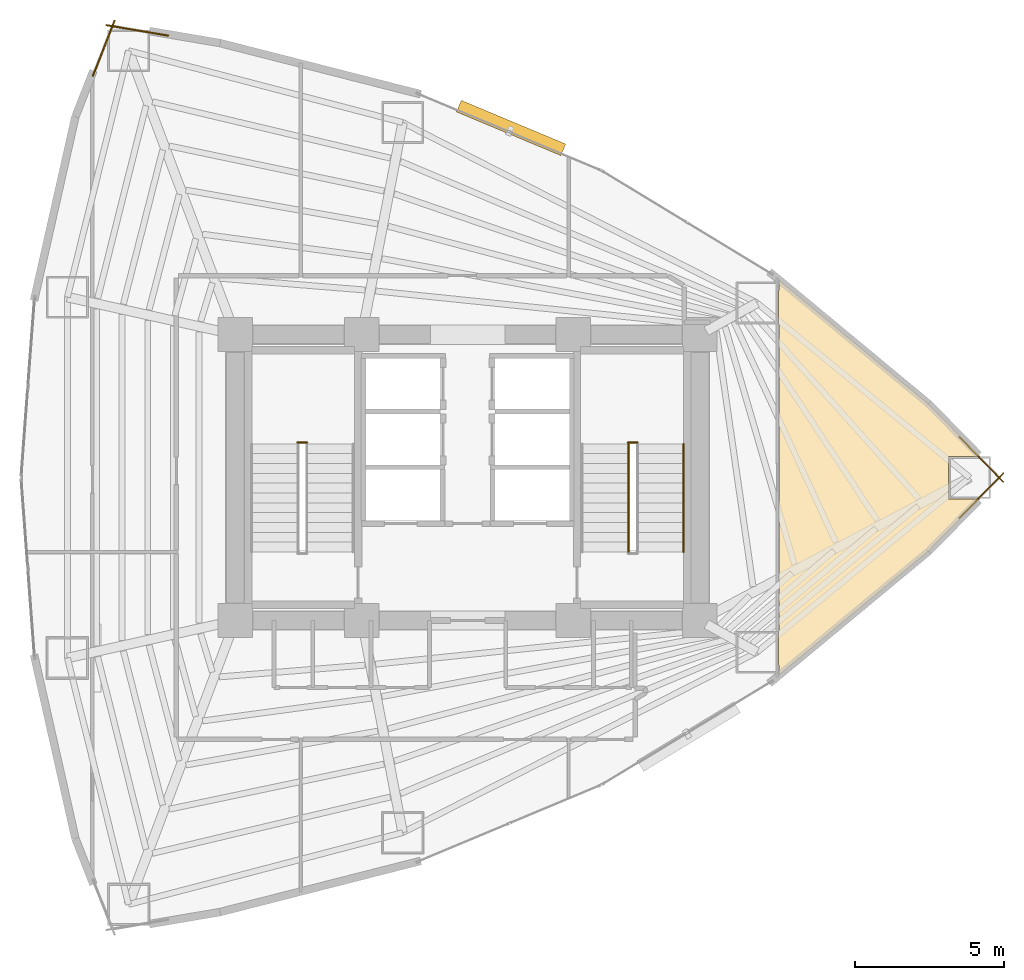
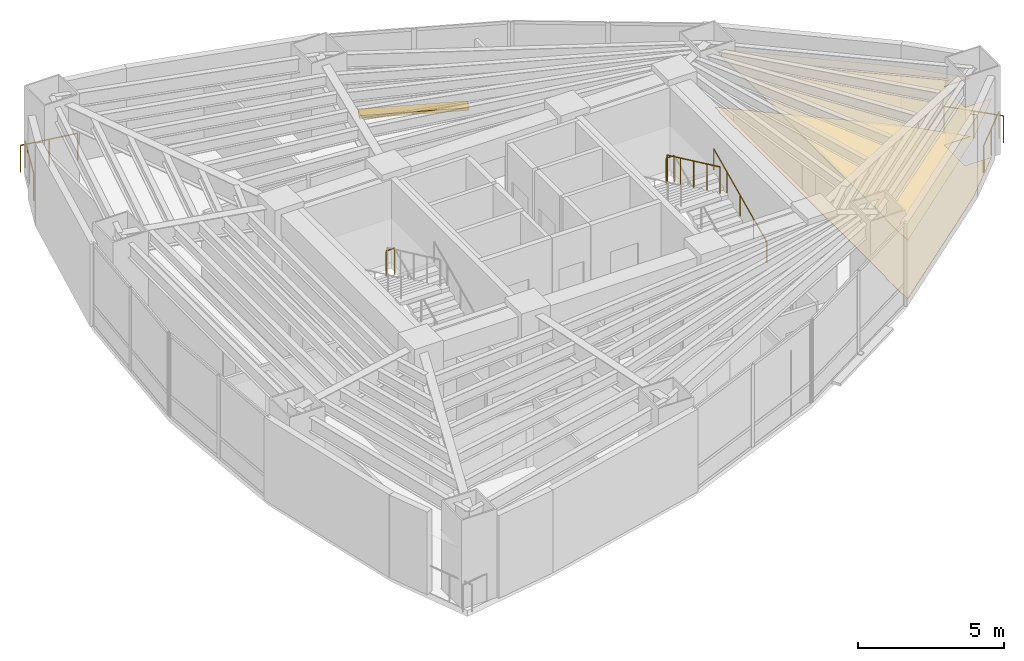
# One storey, part 17 of 17: 8 railings, 2 coverings, 1 shading device.
"""IFC4 building model written with IfcOpenShell, lengths in metres."""

import ifcopenshell
import ifcopenshell.guid

model = None  # the IFC model being written
_history = None  # IfcOwnerHistory: only IFC2X3 demands one
_inside = {}  # id of a spatial element -> (the spatial element, [elements in it])
_under = {}  # id of a project, library or spatial element -> (it, [spatial elements below it])
_declared = {}  # id of a project -> (the project, [libraries it declares])
_typed = {}  # id of a type object -> (the type object, [elements of that type])
_made_of = {}  # id of a material, layer set ... -> (it, [elements and type objects made of it])


def new_model(schema):
    """Start an empty IFC model of exactly this schema.

    Asked for "IFC4X3", IfcOpenShell would pick the latest addendum, in which some entities
    have other attributes; the version numbers below select the first issue.
    IFC2X3 requires an IfcOwnerHistory on every rooted entity: one is made here for all.
    """
    global model, _history
    if schema == "IFC4X3":
        model = ifcopenshell.file(schema_version=(4, 3, 0, 0))
    else:
        model = ifcopenshell.file(schema=schema)
    _inside.clear()
    _under.clear()
    _declared.clear()
    _typed.clear()
    _made_of.clear()
    _history = None
    if model.schema == "IFC2X3":
        org = make("IfcOrganization", Name="unknown")
        user = make(
            "IfcPersonAndOrganization",
            ThePerson=make("IfcPerson", FamilyName="unknown"),
            TheOrganization=org,
        )
        app = make(
            "IfcApplication",
            ApplicationDeveloper=org,
            Version="unknown",
            ApplicationFullName="unknown",
            ApplicationIdentifier="unknown",
        )
        _history = make(
            "IfcOwnerHistory",
            OwningUser=user,
            OwningApplication=app,
            ChangeAction="ADDED",
            CreationDate=0,
        )
    return model


def make(cls, **values):
    """One entity of the class cls with the attributes given. An attribute that is None is left unset."""
    return model.create_entity(
        cls, **{name: value for name, value in values.items() if value is not None}
    )


def rooted(cls, **values):
    """An entity with a GlobalId (a new one), such as an element, a storey or a relation."""
    return make(cls, GlobalId=ifcopenshell.guid.new(), OwnerHistory=_history, **values)


def si_unit(unit_type, name, prefix=None):
    """IfcSIUnit, for example si_unit("LENGTHUNIT", "METRE", prefix="MILLI")."""
    return make("IfcSIUnit", UnitType=unit_type, Prefix=prefix, Name=name)


def assignment(units):
    """IfcUnitAssignment: the units of a project."""
    return None if units is None else make("IfcUnitAssignment", Units=units)


def point(xyz):
    """IfcCartesianPoint."""
    return None if xyz is None else make("IfcCartesianPoint", Coordinates=xyz)


def direction(xyz):
    """IfcDirection."""
    return None if xyz is None else make("IfcDirection", DirectionRatios=xyz)


def frame(location, z_axis=None, x_axis=None):
    """IfcAxis2Placement3D, a coordinate frame: its origin and axes. An axis left out is left unset."""
    return make(
        "IfcAxis2Placement3D",
        Location=point(location),
        Axis=direction(z_axis),
        RefDirection=direction(x_axis),
    )


def frame_2d(location, x_axis=None):
    """IfcAxis2Placement2D, a coordinate frame in the plane: its origin and x axis."""
    return make(
        "IfcAxis2Placement2D", Location=point(location), RefDirection=direction(x_axis)
    )


def origin():
    """The frame at (0, 0, 0) with its axes left unset."""
    return frame((0.0, 0.0, 0.0))


def origin_2d():
    """The frame at (0, 0) in the plane with its x axis left unset."""
    return frame_2d((0.0, 0.0))


def place(relative_to, where):
    """IfcLocalPlacement: puts the frame where relative to a parent placement (None: the world)."""
    return make(
        "IfcLocalPlacement", PlacementRelTo=relative_to, RelativePlacement=where
    )


def context(
    kind, dimensions, precision=None, world=None, true_north=None, identifier=None
):
    """IfcGeometricRepresentationContext, for example the 3D "Model" context."""
    return make(
        "IfcGeometricRepresentationContext",
        ContextIdentifier=identifier,
        ContextType=kind,
        CoordinateSpaceDimension=dimensions,
        Precision=precision,
        WorldCoordinateSystem=world,
        TrueNorth=true_north,
    )


def subcontext(parent, identifier, kind, view, scale=None):
    """IfcGeometricRepresentationSubContext, for example "Body" below "Model"."""
    return make(
        "IfcGeometricRepresentationSubContext",
        ContextIdentifier=identifier,
        ContextType=kind,
        ParentContext=parent,
        TargetScale=scale,
        TargetView=view,
    )


def project(units=None, contexts=None):
    """IfcProject with its units and contexts."""
    return rooted(
        "IfcProject",
        Name="project",
        RepresentationContexts=contexts,
        UnitsInContext=assignment(units),
    )


def spatial(cls, under=None, at=None, **own):
    """A site, building, storey or space (cls), placed at a placement, below another one or the project."""
    s = rooted(cls, ObjectPlacement=at, **own)
    if under is not None:
        _under.setdefault(under.id(), (under, []))[1].append(s)
    return s


def polyline(points):
    """IfcPolyline through the points."""
    return make("IfcPolyline", Points=[point(p) for p in points])


def profile(cls, at=None, kind="AREA", **sizes):
    """A parametric profile (cls). Its sizes go by their IFC names, for example OverallWidth=200.0."""
    return make(cls, ProfileType=kind, Position=at, **sizes)


def rectangle(**sizes):
    """IfcRectangleProfileDef."""
    return profile("IfcRectangleProfileDef", **sizes)


def circle(**sizes):
    """IfcCircleProfileDef."""
    return profile("IfcCircleProfileDef", **sizes)


def outline(outer, holes=None, kind="AREA"):
    """IfcArbitraryClosedProfileDef: a profile drawn as a closed curve; with holes, ...WithVoids."""
    if holes is None:
        return make("IfcArbitraryClosedProfileDef", ProfileType=kind, OuterCurve=outer)
    return make(
        "IfcArbitraryProfileDefWithVoids",
        ProfileType=kind,
        OuterCurve=outer,
        InnerCurves=holes,
    )


def extrude(swept, where, along, depth):
    """IfcExtrudedAreaSolid: the profile swept, set in the frame where, extruded along a direction by depth."""
    return make(
        "IfcExtrudedAreaSolid",
        SweptArea=swept,
        Position=where,
        ExtrudedDirection=direction(along),
        Depth=depth,
    )


def shape(context_of_items, identifier, shape_type, items):
    """IfcShapeRepresentation: the items that make up one representation, for example the "Body"."""
    return make(
        "IfcShapeRepresentation",
        ContextOfItems=context_of_items,
        RepresentationIdentifier=identifier,
        RepresentationType=shape_type,
        Items=items,
    )


def material(Name=None, Category=None):
    """IfcMaterial."""
    return make("IfcMaterial", Name=Name, Category=Category)


def layer(
    of_material, thickness, ventilated=None, Name=None, Category=None, Priority=None
):
    """IfcMaterialLayer: one layer of a wall or slab, of a material (None: an air gap)."""
    return make(
        "IfcMaterialLayer",
        Material=of_material,
        LayerThickness=thickness,
        IsVentilated=ventilated,
        Name=Name,
        Category=Category,
        Priority=Priority,
    )


def layer_set(layers, Name=None):
    """IfcMaterialLayerSet."""
    return make("IfcMaterialLayerSet", MaterialLayers=layers, LayerSetName=Name)


def made_of(thing, what):
    """Note that an element or type object is made of a material, layer set ...; save() writes the relation."""
    if what is not None:
        _made_of.setdefault(what.id(), (what, []))[1].append(thing)
    return thing


def type_object(cls, material=None, **own):
    """A type object (cls), such as IfcWallType, which elements share."""
    return made_of(rooted(cls, **own), material)


def element(
    cls,
    number,
    at=None,
    inside=None,
    cuts=None,
    type_object=None,
    material=None,
    context=None,
    identifier="Body",
    shape_type=None,
    held_by="IfcProductDefinitionShape",
    body=None,
    shapes=None,
    **own,
):
    """One element of the class cls, such as IfcWall. Its Tag is "e" and its number.

    at: its placement. inside: the storey or other place that contains it. cuts: it is an
    opening in that element (IfcRelVoidsElement). A single representation is given by context,
    identifier, shape_type and body (its items); several are given by shapes. held_by: the class
    of the entity that holds the representations. save() writes the other relations.
    """
    e = rooted(cls, Tag="e%d" % number, ObjectPlacement=at, **own)
    if body is not None:
        shapes = [shape(context, identifier, shape_type, body)]
    if shapes is not None:
        e.Representation = make(held_by, Representations=shapes)
    if inside is not None:
        _inside.setdefault(inside.id(), (inside, []))[1].append(e)
    if cuts is not None:
        rooted(
            "IfcRelVoidsElement", RelatingBuildingElement=cuts, RelatedOpeningElement=e
        )
    if type_object is not None:
        _typed.setdefault(type_object.id(), (type_object, []))[1].append(e)
    return made_of(e, material)


def aggregate(whole, parts):
    """IfcRelAggregates: a whole, such as a stair, and the parts it consists of."""
    return rooted("IfcRelAggregates", RelatingObject=whole, RelatedObjects=parts)


def save(model, path):
    """Write the relations noted so far, then the file.

    IfcRelAggregates (storeys below a building ...), IfcRelContainedInSpatialStructure (elements
    in a storey), IfcRelDefinesByType, IfcRelAssociatesMaterial and IfcRelDeclares: one each for
    every whole, place, type object, material and project.
    """
    for whole, parts in _under.values():
        aggregate(whole, parts)
    for where, things in _inside.values():
        rooted(
            "IfcRelContainedInSpatialStructure",
            RelatedElements=things,
            RelatingStructure=where,
        )
    for kind, things in _typed.values():
        rooted("IfcRelDefinesByType", RelatedObjects=things, RelatingType=kind)
    for what, things in _made_of.values():
        rooted("IfcRelAssociatesMaterial", RelatedObjects=things, RelatingMaterial=what)
    for by, libraries in _declared.values():
        rooted("IfcRelDeclares", RelatingContext=by, RelatedDefinitions=libraries)
    model.write(path)


model = new_model("IFC4")

# Units and contexts
model_context = context("Model", 3, precision=1e-05, world=origin(), true_north=direction((0.0, 1.0)))
body_context = subcontext(model_context, "Body", "Model", "MODEL_VIEW")
ifc_project = project(units=[si_unit("LENGTHUNIT", "METRE"), si_unit("AREAUNIT", "SQUARE_METRE"), si_unit("VOLUMEUNIT", "CUBIC_METRE"), si_unit("PLANEANGLEUNIT", "RADIAN"), si_unit("MASSUNIT", "GRAM", prefix="KILO")], contexts=[model_context])

# Site, building, storey
site_placement = place(None, origin())
site = spatial("IfcSite", under=ifc_project, at=site_placement, CompositionType="ELEMENT")
building_placement = place(site_placement, origin())
building = spatial("IfcBuilding", under=site, at=building_placement, Name="Menara Vayukalpa", CompositionType="ELEMENT")
storey_placement = place(building_placement, frame((0.0, 0.0, 46.199951171875)))
storey = spatial("IfcBuildingStorey", under=building, at=storey_placement, Name="L10", CompositionType="ELEMENT", Elevation=46.199951171875)

# Coverings
ifc_material_1 = material(Name="Mineral Fibre Acoustic Ceiling Tile", Category="masonry")
ifc_layer_1 = layer(ifc_material_1, 0.02490234375)
ifc_layer_set_1 = layer_set([ifc_layer_1], Name="Mineral Fibre Acoustic Ceiling Tile")
covering_type_1 = type_object("IfcCoveringType", Name="COV-CLG1", PredefinedType="CEILING", material=ifc_layer_set_1)
covering_1_placement = place(storey_placement, frame((0.0, 0.0, 2.449951171875)))
element("IfcCovering", 1, at=covering_1_placement, inside=storey, type_object=covering_type_1, Name="L10 Corporate Training Classroom Acoustic Ceiling", PredefinedType="CEILING", context=body_context, shape_type="SweptSolid", body=[
    extrude(outline(polyline([(36.06005859375, 27.14990234375), (36.032958984375, 27.14990234375), (36.032958984375, 28.30078125), (36.06005859375, 28.2783203125), (36.06005859375, 28.60791015625), (36.06005859375, 28.60888671875), (36.060302734375, 28.60986328125), (36.060302734375, 28.610595703125), (36.060791015625, 28.611572265625), (36.061279296875, 28.612548828125), (36.061767578125, 28.61328125), (36.062255859375, 28.6142578125), (36.06298828125, 28.614990234375), (36.063720703125, 28.615478515625), (36.064453125, 28.6162109375), (36.065185546875, 28.61669921875), (36.066162109375, 28.616943359375), (36.067138671875, 28.617431640625), (36.068115234375, 28.61767578125), (36.069091796875, 28.617919921875), (36.070068359375, 28.617919921875), (36.071044921875, 28.61767578125), (36.072021484375, 28.61767578125), (36.072998046875, 28.617431640625), (36.073974609375, 28.616943359375), (36.07470703125, 28.61669921875), (36.07568359375, 28.6162109375), (36.076416015625, 28.615478515625), (41.07763671875, 24.468017578125), (41.078369140625, 24.46728515625), (42.798828125, 22.715087890625), (41.749755859375, 22.715087890625), (41.749755859375, 21.284912109375), (42.798828125, 21.284912109375), (41.078369140625, 19.53271484375), (41.07763671875, 19.531982421875), (36.076416015625, 15.384521484375), (36.07568359375, 15.3837890625), (36.07470703125, 15.38330078125), (36.073974609375, 15.383056640625), (36.072998046875, 15.382568359375), (36.072021484375, 15.38232421875), (36.071044921875, 15.38232421875), (36.070068359375, 15.382080078125), (36.069091796875, 15.382080078125), (36.068115234375, 15.38232421875), (36.067138671875, 15.382568359375), (36.066162109375, 15.383056640625), (36.065185546875, 15.38330078125), (36.064453125, 15.3837890625), (36.063720703125, 15.384521484375), (36.06298828125, 15.385009765625), (36.062255859375, 15.3857421875), (36.061767578125, 15.38671875), (36.061279296875, 15.387451171875), (36.060791015625, 15.388427734375), (36.060302734375, 15.389404296875), (36.060302734375, 15.39013671875), (36.06005859375, 15.39111328125), (36.06005859375, 15.39208984375), (36.06005859375, 15.7216796875), (36.032958984375, 15.69921875), (36.032958984375, 16.85009765625), (36.06005859375, 16.85009765625), (36.06005859375, 27.14990234375)])), origin(), (0.0, 0.0, 1.0), 0.025146484375),
])
ifc_material_2 = material(Name="Porcelain Stoneware Floor Tile", Category="masonry")
ifc_layer_2 = layer(ifc_material_2, 0.02001953125)
ifc_layer_set_2 = layer_set([ifc_layer_2], Name="Porcelain Stoneware Floor Tile")
covering_type_2 = type_object("IfcCoveringType", Name="COV-FLR1", PredefinedType="FLOORING", material=ifc_layer_set_2)
covering_2_placement = place(storey_placement, origin())
element("IfcCovering", 2, at=covering_2_placement, inside=storey, type_object=covering_type_2, Name="L10 Corporate Training Classroom Porcelain Flooring", PredefinedType="FLOORING", context=body_context, shape_type="SweptSolid", body=[
    extrude(outline(polyline([(36.06005859375, 27.14990234375), (36.032958984375, 27.14990234375), (36.032958984375, 28.30078125), (36.06005859375, 28.2783203125), (36.06005859375, 28.60791015625), (36.06005859375, 28.60888671875), (36.060302734375, 28.60986328125), (36.060302734375, 28.610595703125), (36.060791015625, 28.611572265625), (36.061279296875, 28.612548828125), (36.061767578125, 28.61328125), (36.062255859375, 28.6142578125), (36.06298828125, 28.614990234375), (36.063720703125, 28.615478515625), (36.064453125, 28.6162109375), (36.065185546875, 28.61669921875), (36.066162109375, 28.616943359375), (36.067138671875, 28.617431640625), (36.068115234375, 28.61767578125), (36.069091796875, 28.617919921875), (36.070068359375, 28.617919921875), (36.071044921875, 28.61767578125), (36.072021484375, 28.61767578125), (36.072998046875, 28.617431640625), (36.073974609375, 28.616943359375), (36.07470703125, 28.61669921875), (36.07568359375, 28.6162109375), (36.076416015625, 28.615478515625), (41.07763671875, 24.468017578125), (41.078369140625, 24.46728515625), (42.798828125, 22.715087890625), (41.749755859375, 22.715087890625), (41.749755859375, 21.284912109375), (42.798828125, 21.284912109375), (41.078369140625, 19.53271484375), (41.07763671875, 19.531982421875), (36.076416015625, 15.384521484375), (36.07568359375, 15.3837890625), (36.07470703125, 15.38330078125), (36.073974609375, 15.383056640625), (36.072998046875, 15.382568359375), (36.072021484375, 15.38232421875), (36.071044921875, 15.38232421875), (36.070068359375, 15.382080078125), (36.069091796875, 15.382080078125), (36.068115234375, 15.38232421875), (36.067138671875, 15.382568359375), (36.066162109375, 15.383056640625), (36.065185546875, 15.38330078125), (36.064453125, 15.3837890625), (36.063720703125, 15.384521484375), (36.06298828125, 15.385009765625), (36.062255859375, 15.3857421875), (36.061767578125, 15.38671875), (36.061279296875, 15.387451171875), (36.060791015625, 15.388427734375), (36.060302734375, 15.389404296875), (36.060302734375, 15.39013671875), (36.06005859375, 15.39111328125), (36.06005859375, 15.39208984375), (36.06005859375, 15.7216796875), (36.032958984375, 15.69921875), (36.032958984375, 16.85009765625), (36.06005859375, 16.85009765625), (36.06005859375, 27.14990234375)])), origin(), (0.0, 0.0, 1.0), 0.02001953125),
])

# Railings
ifc_material_3 = material(Name="Laminated Glass and Stainless Steel 316 Guardrail", Category="steel")
railing_type_1 = type_object("IfcRailingType", Name="RLG-EXT115", PredefinedType="GUARDRAIL", material=ifc_material_3)
railing_1_placement = place(storey_placement, frame((42.10888671875, 20.6396484375, 0.0)))
element("IfcRailing", 3, at=railing_1_placement, inside=storey, type_object=railing_type_1, Name="L10 Column Corner Spandrel Guardrail 01-1", PredefinedType="GUARDRAIL", context=body_context, shape_type="SweptSolid", body=[
    extrude(circle(Radius=0.02392578125, at=origin_2d()), frame((0.0, 0.0, 1.1259765625), z_axis=(0.700673401428, 0.713482154319, 0.0), x_axis=(-0.713482154319, 0.700673401428, 0.0)), (0.0, 0.0, 1.0), 2.11572265625),
    extrude(circle(Radius=0.02099609375, at=origin_2d()), origin(), (0.0, 0.0, 1.0), 1.101806640625),
    extrude(circle(Radius=0.02099609375, at=origin_2d()), frame((0.7412109375, 0.7548828125, 0.0)), (0.0, 0.0, 1.0), 1.101806640625),
    extrude(circle(Radius=0.02099609375, at=origin_2d()), frame((1.482421875, 1.509521484375, 0.0)), (0.0, 0.0, 1.0), 1.101806640625),
])
railing_2_placement = place(storey_placement, frame((43.59130859375, 21.850830078125, 0.0)))
element("IfcRailing", 4, at=railing_2_placement, inside=storey, type_object=railing_type_1, Name="L10 Column Corner Spandrel Guardrail 02-1", PredefinedType="GUARDRAIL", context=body_context, shape_type="SweptSolid", body=[
    extrude(circle(Radius=0.02392578125, at=origin_2d()), frame((0.0, 0.0, 1.1259765625), z_axis=(-0.700673401428, 0.713482154319, 0.0), x_axis=(-0.713482154319, -0.700673401428, 0.0)), (0.0, 0.0, 1.0), 2.11572265625),
    extrude(circle(Radius=0.02099609375, at=origin_2d()), origin(), (0.0, 0.0, 1.0), 1.101806640625),
    extrude(circle(Radius=0.02099609375, at=origin_2d()), frame((-0.7412109375, 0.7548828125, 0.0)), (0.0, 0.0, 1.0), 1.101806640625),
    extrude(circle(Radius=0.02099609375, at=origin_2d()), frame((-1.482421875, 1.509521484375, 0.0)), (0.0, 0.0, 1.0), 1.101806640625),
])
railing_3_placement = place(storey_placement, frame((15.541015625, 36.840087890625, 0.0)))
element("IfcRailing", 5, at=railing_3_placement, inside=storey, type_object=railing_type_1, Name="L10 Column Corner Spandrel Guardrail 07-1", PredefinedType="GUARDRAIL", context=body_context, shape_type="SweptSolid", body=[
    extrude(circle(Radius=0.02392578125, at=origin_2d()), frame((0.0, 0.0, 1.1259765625), z_axis=(-0.985904350491, 0.167309927029, 0.0), x_axis=(-0.167309927029, -0.985904350491, 0.0)), (0.0, 0.0, 1.0), 2.093994140625),
    extrude(circle(Radius=0.02099609375, at=origin_2d()), origin(), (0.0, 0.0, 1.0), 1.101806640625),
    extrude(circle(Radius=0.02099609375, at=origin_2d()), frame((-1.0322265625, 0.17529296875, 0.0)), (0.0, 0.0, 1.0), 1.101806640625),
    extrude(circle(Radius=0.02099609375, at=origin_2d()), frame((-2.064453125, 0.350341796875, 0.0)), (0.0, 0.0, 1.0), 1.101806640625),
])
railing_4_placement = place(storey_placement, frame((13.74755859375, 37.343505859375, 0.0)))
element("IfcRailing", 6, at=railing_4_placement, inside=storey, type_object=railing_type_1, Name="L10 Column Corner Spandrel Guardrail 08-1", PredefinedType="GUARDRAIL", context=body_context, shape_type="SweptSolid", body=[
    extrude(circle(Radius=0.02392578125, at=origin_2d()), frame((0.0, 0.0, 1.1259765625), z_axis=(-0.365580158762, -0.930779859859, 0.0), x_axis=(0.930779859859, -0.365580158762, 0.0)), (0.0, 0.0, 1.0), 1.9873046875),
    extrude(circle(Radius=0.02099609375, at=origin_2d()), origin(), (0.0, 0.0, 1.0), 1.101806640625),
    extrude(circle(Radius=0.02099609375, at=origin_2d()), frame((-0.36328125, -0.9248046875, 0.0)), (0.0, 0.0, 1.0), 1.101806640625),
    extrude(circle(Radius=0.02099609375, at=origin_2d()), frame((-0.7265625, -1.849853515625, 0.0)), (0.0, 0.0, 1.0), 1.101806640625),
])
ifc_material_4 = material(Name="Powder-Coated Galvanised Steel Guardrail", Category="steel")
railing_type_2 = type_object("IfcRailingType", Name="RLG-STG110", PredefinedType="GUARDRAIL", material=ifc_material_4)
for number, where, name in (
    (7, (20.2099609375, 23.179931640625, 1.860107421875), "L10 ST-1 stair guard 2"),
    (8, (31.31005859375, 23.179931640625, 1.860107421875), "L10 ST-2 stair guard 2"),
):
    element("IfcRailing", number, at=place(storey_placement, frame(where)), inside=storey, type_object=railing_type_2, Name=name, PredefinedType="GUARDRAIL", context=body_context, shape_type="SweptSolid", body=[
        extrude(circle(Radius=0.02392578125, at=origin_2d()), frame((0.0, 0.0, 1.09619140625), z_axis=(-1.0, 0.0, 0.0), x_axis=(0.0, -1.0, 0.0)), (0.0, 0.0, 1.0), 0.320068359375),
        extrude(circle(Radius=0.02099609375, at=origin_2d()), origin(), (0.0, 0.0, 1.0), 1.072021484375),
        extrude(circle(Radius=0.02099609375, at=origin_2d()), frame((-0.320068359375, 0.0, 0.0)), (0.0, 0.0, 1.0), 1.072021484375),
    ])
railing_5_placement = place(storey_placement, frame((31.0, 23.1298828125, 2.01513671875)))
element("IfcRailing", 9, at=railing_5_placement, inside=storey, type_object=railing_type_2, Name="L10 ST-2 stair guard 3", PredefinedType="GUARDRAIL", context=body_context, shape_type="SweptSolid", body=[
    extrude(circle(Radius=0.02392578125, at=origin_2d()), frame((0.0, 0.0, 1.09619140625), z_axis=(0.0, -0.90513990983, 0.425113800803), x_axis=(1.0, 0.0, 0.0)), (0.0, 0.0, 1.0), 4.01025390625),
    extrude(circle(Radius=0.02099609375, at=origin_2d()), origin(), (0.0, 0.0, 1.0), 1.072021484375),
    extrude(circle(Radius=0.02099609375, at=origin_2d()), frame((0.0, -0.907470703125, 0.42626953125)), (0.0, 0.0, 1.0), 1.072021484375),
    extrude(circle(Radius=0.02099609375, at=origin_2d()), frame((0.0, -1.81494140625, 0.8525390625)), (0.0, 0.0, 1.0), 1.072021484375),
    extrude(circle(Radius=0.02099609375, at=origin_2d()), frame((0.0, -2.722412109375, 1.278564453125)), (0.0, 0.0, 1.0), 1.072021484375),
    extrude(circle(Radius=0.02099609375, at=origin_2d()), frame((0.0, -3.6298828125, 1.704833984375)), (0.0, 0.0, 1.0), 1.072021484375),
])
ifc_material_5 = material(Name="Stainless Steel 316 Tubular Handrail", Category="steel")
railing_type_3 = type_object("IfcRailingType", Name="RLG-STH090", PredefinedType="HANDRAIL", material=ifc_material_5)
railing_6_placement = place(storey_placement, frame((32.85009765625, 19.5, 0.155029296875)))
element("IfcRailing", 10, at=railing_6_placement, inside=storey, type_object=railing_type_3, Name="L10 ST-2 stair handrail 1", PredefinedType="HANDRAIL", context=body_context, shape_type="SweptSolid", body=[
    extrude(circle(Radius=0.02392578125, at=origin_2d()), frame((0.0, 0.0, 0.8759765625), z_axis=(0.0, 0.90511648382, 0.425163675209), x_axis=(-1.0, 0.0, 0.0)), (0.0, 0.0, 1.0), 4.010498046875),
    extrude(circle(Radius=0.02099609375, at=origin_2d()), origin(), (0.0, 0.0, 1.0), 0.851806640625),
    extrude(circle(Radius=0.02099609375, at=origin_2d()), frame((0.0, 0.907470703125, 0.42626953125)), (0.0, 0.0, 1.0), 0.851806640625),
    extrude(circle(Radius=0.02099609375, at=origin_2d()), frame((0.0, 1.81494140625, 0.8525390625)), (0.0, 0.0, 1.0), 0.851806640625),
    extrude(circle(Radius=0.02099609375, at=origin_2d()), frame((0.0, 2.722412109375, 1.27880859375)), (0.0, 0.0, 1.0), 0.851806640625),
    extrude(circle(Radius=0.02099609375, at=origin_2d()), frame((0.0, 3.6298828125, 1.705078125)), (0.0, 0.0, 1.0), 0.851806640625),
])

# Shading device
ifc_material_6 = material(Name="Glazed Terracotta Ceramic Baguette Extrusion", Category="masonry")
ifc_layer_3 = layer(ifc_material_6, 0.1201171875)
ifc_layer_set_3 = layer_set([ifc_layer_3], Name="Glazed Terracotta Ceramic Baguette Extrusion")
shading_device_type = type_object("IfcShadingDeviceType", Name="SHD-SS1", PredefinedType="USERDEFINED", material=ifc_layer_set_3)
shading_device_placement = place(storey_placement, frame((27.060791015625, 33.740478515625, -0.10009765625), z_axis=(0.0, 0.0, 1.0), x_axis=(-0.922544824647, 0.385889940938, 0.0)))
element("IfcShadingDevice", 11, at=shading_device_placement, inside=storey, type_object=shading_device_type, Name="L10 Horizontal Terracotta Sunshade Band 05", ObjectType="SUNSHADE", PredefinedType="USERDEFINED", context=body_context, shape_type="SweptSolid", body=[
    extrude(rectangle(XDim=3.800048828125, YDim=0.419921875, at=origin_2d()), origin(), (0.0, 0.0, 1.0), 0.1201171875),
])

save(model, "model.ifc")
